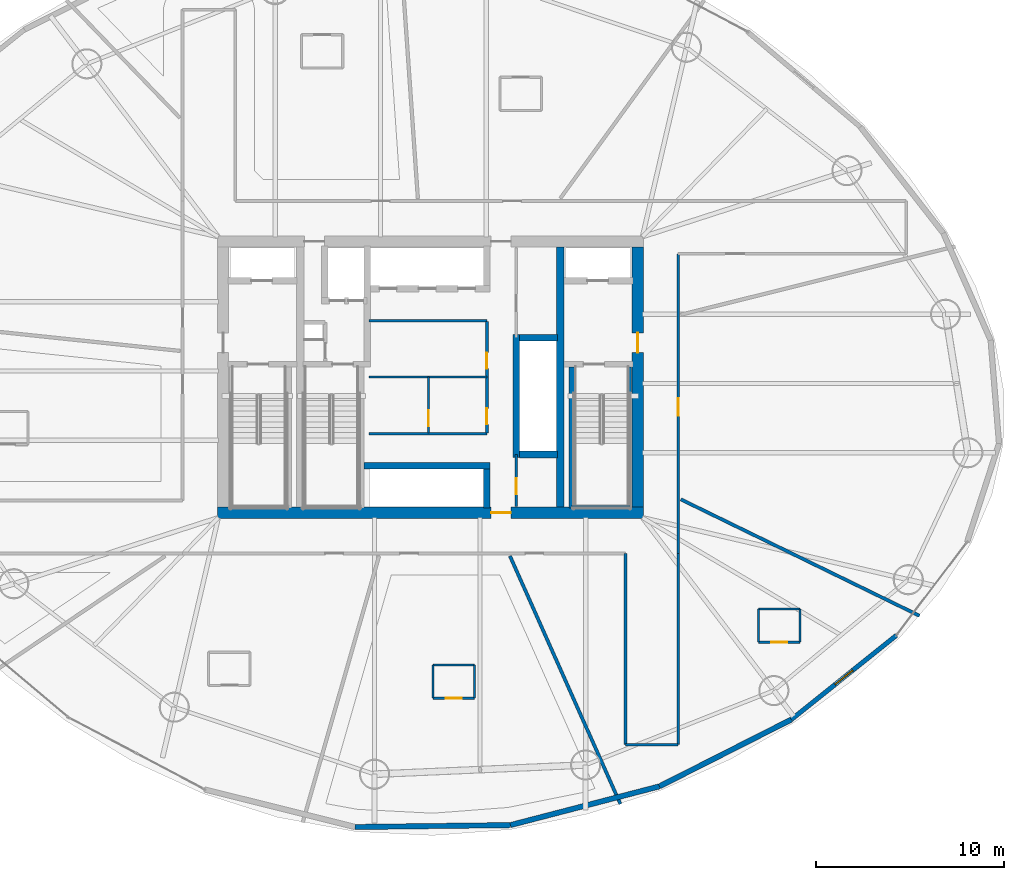
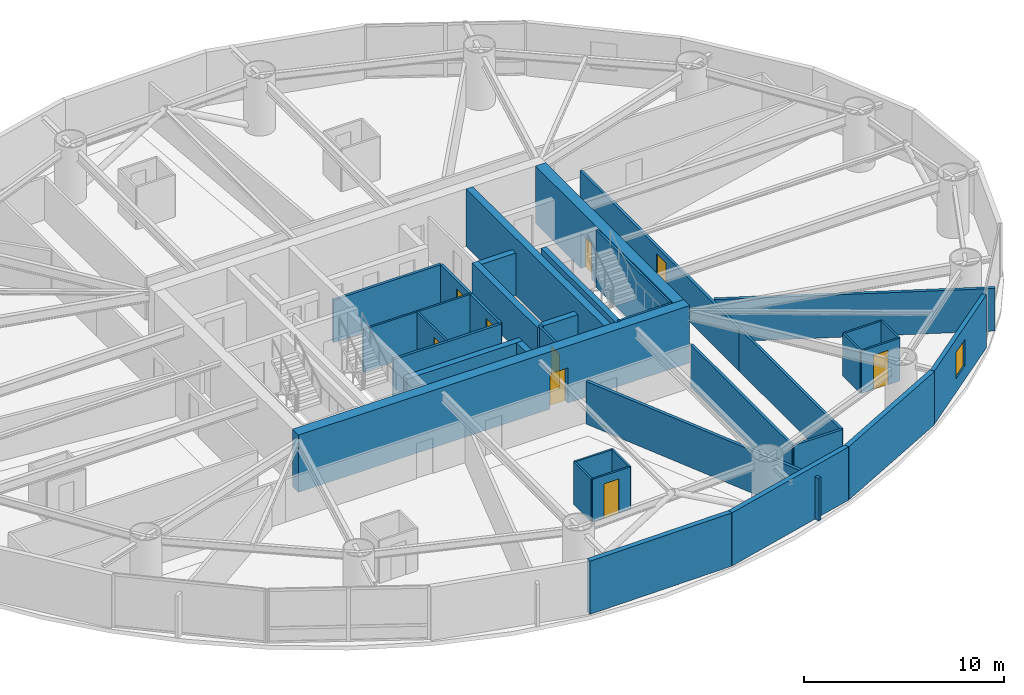
# One storey, part 13 of 19: 35 walls, 9 doors, 1 window, 10 openings.
"""IFC4 building model written with IfcOpenShell, lengths in metres."""

from ifc_helpers import new_model, si_unit, direction, frame, frame_2d, origin, place, context, subcontext, project, spatial, rectangle, extrude, material, layer, layer_set, type_object, element, fill, save


model = new_model("IFC4")

# Units and contexts
model_context = context("Model", 3, precision=1e-05, world=origin(), true_north=direction((0.0, 1.0)))
body_context = subcontext(model_context, "Body", "Model", "MODEL_VIEW")
ifc_project = project(units=[si_unit("LENGTHUNIT", "METRE"), si_unit("AREAUNIT", "SQUARE_METRE"), si_unit("VOLUMEUNIT", "CUBIC_METRE"), si_unit("PLANEANGLEUNIT", "RADIAN"), si_unit("MASSUNIT", "GRAM", prefix="KILO")], contexts=[model_context])

# Site, building, storey
site_placement = place(None, origin())
site = spatial("IfcSite", under=ifc_project, at=site_placement, CompositionType="ELEMENT")
building_placement = place(site_placement, origin())
building = spatial("IfcBuilding", under=site, at=building_placement, Name="Bramvorn Convention Spire", CompositionType="ELEMENT")
storey_placement = place(building_placement, frame((0.0, 0.0, 62.39990234375)))
storey = spatial("IfcBuildingStorey", under=building, at=storey_placement, Name="L13", CompositionType="ELEMENT", Elevation=62.39990234375)

# Wall, opening, door
ifc_material_1 = material(Name="Concrete C60/70", Category="concrete")
ifc_layer_1 = layer(ifc_material_1, 0.60009765625)
ifc_layer_set_1 = layer_set([ifc_layer_1], Name="Concrete C60/70 - WL-CORE-600")
wall_type_1 = type_object("IfcWallType", Name="WL-CORE-600", PredefinedType="SHEAR", material=ifc_layer_set_1)
wall_1_placement = place(storey_placement, frame((26.699951171875, 18.800048828125, 0.0), z_axis=(0.0, 0.0, 1.0), x_axis=(1.0, 0.0, 0.0)))
wall_1 = element("IfcWall", 1, at=wall_1_placement, inside=storey, type_object=wall_type_1, Name="L13 South RC core shear wall", PredefinedType="SHEAR", context=body_context, shape_type="SweptSolid", body=[
    extrude(rectangle(XDim=22.60009765625, YDim=0.60009765625, at=frame_2d((11.300048828125, 0.0))), origin(), (0.0, 0.0, 1.0), 3.5),
])
opening_1_placement = place(wall_1_placement, frame((14.52001953125, 0.0, 0.0)))
opening_1 = element("IfcOpeningElement", 2, at=opening_1_placement, cuts=wall_1, Name="Opening DL-105", PredefinedType="OPENING", context=body_context, shape_type="SweptSolid", body=[
    extrude(rectangle(XDim=1.050048828125, YDim=2.14990234375, at=frame_2d((0.52490234375, 1.074951171875))), frame((0.0, 0.31005859375, 0.0), z_axis=(0.0, -1.0, 0.0), x_axis=(1.0, 0.0, 0.0)), (0.0, 0.0, 1.0), 0.6201171875),
])
ifc_material_2 = material(Name="Smoke-Sealed Fire Lobby Timber-Core Door", Category="wood")
door_type_1 = type_object("IfcDoorType", Name="DR-LOBBY-1050", OperationType="NOTDEFINED", PredefinedType="DOOR", material=ifc_material_2)
door_1_placement = place(opening_1_placement, origin())
door_1 = element("IfcDoor", 3, at=door_1_placement, inside=storey, type_object=door_type_1, Name="L13 South Lift Lobby fire door", OperationType="SINGLE_SWING_RIGHT", OverallHeight=2.14990234375, OverallWidth=1.050048828125, PredefinedType="DOOR", context=body_context, shape_type="SweptSolid", body=[
    extrude(rectangle(XDim=1.050048828125, YDim=2.14990234375, at=frame_2d((0.52490234375, 1.074951171875))), frame((0.0, 0.02490234375, 0.0), z_axis=(0.0, -1.0, 0.0), x_axis=(1.0, 0.0, 0.0)), (0.0, 0.0, 1.0), 0.050048828125),
])
fill(opening_1, door_1)

wall_2_placement = place(storey_placement, frame((49.0, 19.10009765625, 0.0), z_axis=(0.0, 0.0, 1.0), x_axis=(0.0, 1.0, 0.0)))
wall_2 = element("IfcWall", 4, at=wall_2_placement, inside=storey, type_object=wall_type_1, Name="L13 East RC core shear wall", PredefinedType="SHEAR", context=body_context, shape_type="SweptSolid", body=[
    extrude(rectangle(XDim=13.7998046875, YDim=0.60009765625, at=frame_2d((6.89990234375, 0.0))), origin(), (0.0, 0.0, 1.0), 3.5),
])
opening_2_placement = place(wall_2_placement, frame((8.199951171875, 0.0, 0.0)))
opening_2 = element("IfcOpeningElement", 5, at=opening_2_placement, cuts=wall_2, Name="Opening DL-105", PredefinedType="OPENING", context=body_context, shape_type="SweptSolid", body=[
    extrude(rectangle(XDim=1.050048828125, YDim=2.14990234375, at=frame_2d((0.52490234375, 1.074951171875))), frame((0.0, 0.31005859375, 0.0), z_axis=(0.0, -1.0, 0.0), x_axis=(1.0, 0.0, 0.0)), (0.0, 0.0, 1.0), 0.6201171875),
])
door_2_placement = place(opening_2_placement, origin())
door_2 = element("IfcDoor", 6, at=door_2_placement, inside=storey, type_object=door_type_1, Name="L13 East Firefighting Lobby corridor door", OperationType="SINGLE_SWING_LEFT", OverallHeight=2.14990234375, OverallWidth=1.050048828125, PredefinedType="DOOR", context=body_context, shape_type="SweptSolid", body=[
    extrude(rectangle(XDim=1.050048828125, YDim=2.14990234375, at=frame_2d((0.52490234375, 1.074951171875))), frame((0.0, 0.02490234375, 0.0), z_axis=(0.0, -1.0, 0.0), x_axis=(1.0, 0.0, 0.0)), (0.0, 0.0, 1.0), 0.050048828125),
])
fill(opening_2, door_2)

# Walls
ifc_material_3 = material(Name="Concrete C50/60", Category="concrete")
ifc_layer_2 = layer(ifc_material_3, 0.35009765625)
ifc_layer_set_2 = layer_set([ifc_layer_2], Name="Concrete C50/60 - WL-CORE-INT-350")
wall_type_2 = type_object("IfcWallType", Name="WL-CORE-INT-350", PredefinedType="SHEAR", material=ifc_layer_set_2)
wall_3_placement = place(storey_placement, frame((42.550048828125, 21.72998046875, 0.0), z_axis=(0.0, 0.0, 1.0), x_axis=(0.0, 1.0, 0.0)))
element("IfcWall", 7, at=wall_3_placement, inside=storey, type_object=wall_type_2, Name="L13 High-rise lift bank west wall", PredefinedType="SHEAR", context=body_context, shape_type="SweptSolid", body=[
    extrude(rectangle(XDim=6.5400390625, YDim=0.35009765625, at=frame_2d((3.27001953125, 0.0))), origin(), (0.0, 0.0, 1.0), 2.60009765625),
])
for number, where, z_axis, x_axis, name in (
    (8, (42.719970703125, 21.89990234375, 0.0), (0.0, 0.0, 1.0), (1.0, 0.0, 0.0), "L13 High-rise lift bank south wall"),
    (9, (42.719970703125, 28.10009765625, 0.0), (0.0, 0.0, 1.0), (1.0, 0.0, 0.0), "L13 High-rise lift bank north wall"),
):
    element("IfcWall", number, at=place(storey_placement, frame(where, z_axis=z_axis, x_axis=x_axis)), inside=storey, type_object=wall_type_2, Name=name, PredefinedType="SHEAR", context=body_context, shape_type="SweptSolid", body=[
        extrude(rectangle(XDim=2.030029296875, YDim=0.35009765625, at=frame_2d((1.01513671875, 0.0))), origin(), (0.0, 0.0, 1.0), 2.60009765625),
    ])
wall_4_placement = place(storey_placement, frame((34.489990234375, 21.300048828125, 0.0), z_axis=(0.0, 0.0, 1.0), x_axis=(1.0, 0.0, 0.0)))
element("IfcWall", 10, at=wall_4_placement, inside=storey, type_object=wall_type_2, Name="L13 Mid-rise bank north landing wall", PredefinedType="SHEAR", context=body_context, shape_type="SweptSolid", body=[
    extrude(rectangle(XDim=6.679931640625, YDim=0.35009765625, at=frame_2d((3.33984375, 0.0))), origin(), (0.0, 0.0, 1.0), 2.60009765625),
])
wall_5_placement = place(storey_placement, frame((41.0, 19.050048828125, 0.0), z_axis=(0.0, 0.0, 1.0), x_axis=(0.0, 1.0, 0.0)))
element("IfcWall", 11, at=wall_5_placement, inside=storey, type_object=wall_type_2, Name="L13 Mid-rise bank east cheek wall", PredefinedType="SHEAR", context=body_context, shape_type="SweptSolid", body=[
    extrude(rectangle(XDim=2.079833984375, YDim=0.35009765625, at=frame_2d((1.0400390625, 0.0))), origin(), (0.0, 0.0, 1.0), 2.60009765625),
])
ifc_layer_3 = layer(ifc_material_1, 0.39990234375)
ifc_layer_set_3 = layer_set([ifc_layer_3], Name="Concrete C60/70 - WL-CORE-INT-400")
wall_type_3 = type_object("IfcWallType", Name="WL-CORE-INT-400", PredefinedType="SHEAR", material=ifc_layer_set_3)
wall_6_placement = place(storey_placement, frame((44.89990234375, 19.10009765625, 0.0), z_axis=(0.0, 0.0, 1.0), x_axis=(0.0, 1.0, 0.0)))
element("IfcWall", 12, at=wall_6_placement, inside=storey, type_object=wall_type_3, Name="L13 East internal core shear web", PredefinedType="SHEAR", context=body_context, shape_type="SweptSolid", body=[
    extrude(rectangle(XDim=13.7998046875, YDim=0.39990234375, at=frame_2d((6.89990234375, 0.0))), origin(), (0.0, 0.0, 1.0), 3.5),
])
ifc_material_4 = material(Name="Precast Concrete C40/50 with Bronze Terracotta Rainscreen", Category="masonry")
ifc_layer_4 = layer(ifc_material_4, 0.300048828125)
ifc_layer_set_4 = layer_set([ifc_layer_4], Name="Precast Concrete C40/50 with Bronze Terracotta Rainscreen - WL-EXT-BRONZE-300")
wall_type_4 = type_object("IfcWallType", Name="WL-EXT-BRONZE-300", PredefinedType="SOLIDWALL", material=ifc_layer_set_4)
wall_7_placement = place(storey_placement, frame((42.249755859375, 2.23291015625, 0.0), z_axis=(0.0, 0.0, 1.0), x_axis=(-0.999923696947, -0.012353148712, 0.0)))
element("IfcWall", 13, at=wall_7_placement, inside=storey, type_object=wall_type_4, Name="L13 expressed bronze Gothic lancet pier wall 19", PredefinedType="SOLIDWALL", context=body_context, shape_type="SweptSolid", body=[
    extrude(rectangle(XDim=8.241455078125, YDim=0.280029296875, at=frame_2d((4.12060546875, 0.0))), origin(), (0.0, 0.0, 1.0), 3.25),
])
wall_8_placement = place(storey_placement, frame((50.15771484375, 4.2890625, 0.0), z_axis=(0.0, 0.0, 1.0), x_axis=(-0.96782003266, -0.25164336745, 0.0)))
element("IfcWall", 14, at=wall_8_placement, inside=storey, type_object=wall_type_4, Name="L13 expressed bronze Gothic lancet pier wall 20", PredefinedType="SOLIDWALL", context=body_context, shape_type="SweptSolid", body=[
    extrude(rectangle(XDim=8.1708984375, YDim=0.280029296875, at=frame_2d((4.08544921875, 0.0))), origin(), (0.0, 0.0, 1.0), 3.25),
])
wall_9_placement = place(storey_placement, frame((57.15576171875, 7.83447265625, 0.0), z_axis=(0.0, 0.0, 1.0), x_axis=(-0.892049493645, -0.451937717929, 0.0)))
element("IfcWall", 15, at=wall_9_placement, inside=storey, type_object=wall_type_4, Name="L13 expressed bronze Gothic lancet pier wall 21", PredefinedType="SOLIDWALL", context=body_context, shape_type="SweptSolid", body=[
    extrude(rectangle(XDim=7.844970703125, YDim=0.280029296875, at=frame_2d((3.92236328125, 0.0))), origin(), (0.0, 0.0, 1.0), 3.25),
])

# Wall, opening, window
wall_10_placement = place(storey_placement, frame((62.72900390625, 12.3017578125, 0.0), z_axis=(0.0, 0.0, 1.0), x_axis=(-0.780274881532, -0.625436734811, 0.0)))
wall_10 = element("IfcWall", 16, at=wall_10_placement, inside=storey, type_object=wall_type_4, Name="L13 bronze ceramic-frit spandrel & operable window bay 22", PredefinedType="SOLIDWALL", context=body_context, shape_type="SweptSolid", body=[
    extrude(rectangle(XDim=7.142578125, YDim=0.239990234375, at=frame_2d((3.5712890625, 0.0))), origin(), (0.0, 0.0, 1.0), 3.25),
])
opening_3_placement = place(wall_10_placement, frame((2.971435546875, 0.0, 0.85009765625)))
opening_3 = element("IfcOpeningElement", 17, at=opening_3_placement, cuts=wall_10, Name="Opening WN01", PredefinedType="OPENING", context=body_context, shape_type="SweptSolid", body=[
    extrude(rectangle(XDim=1.199951171875, YDim=1.60009765625, at=frame_2d((0.60009765625, 0.800048828125))), frame((0.0, 0.1298828125, 0.0), z_axis=(0.0, -1.0, 0.0), x_axis=(1.0, 0.0, 0.0)), (0.0, 0.0, 1.0), 0.260009765625),
])
ifc_material_5 = material(Name="Thermally Broken Bronze Aluminium & Triple Low-E Glass", Category="aluminium")
window_type = type_object("IfcWindowType", Name="WN-OP-1200X1600", PartitioningType="SINGLE_PANEL", PredefinedType="WINDOW", material=ifc_material_5)
window_placement = place(opening_3_placement, origin())
window = element("IfcWindow", 18, at=window_placement, inside=storey, type_object=window_type, Name="L13 operable parallel-vent window 22", OverallHeight=1.60009765625, OverallWidth=1.199951171875, PartitioningType="SINGLE_PANEL", PredefinedType="WINDOW", context=body_context, shape_type="SweptSolid", body=[
    extrude(rectangle(XDim=1.199951171875, YDim=1.60009765625, at=frame_2d((0.60009765625, 0.800048828125))), frame((0.0, 0.030029296875, 0.0), z_axis=(0.0, -1.0, 0.0), x_axis=(1.0, 0.0, 0.0)), (0.0, 0.0, 1.0), 0.06005859375),
])
fill(opening_3, window)

# Wall
ifc_material_6 = material(Name="Lightweight En-Suite & Wet-Wall Partition", Category="gypsum")
ifc_layer_5 = layer(ifc_material_6, 0.110107421875)
ifc_layer_set_5 = layer_set([ifc_layer_5], Name="Lightweight En-Suite & Wet-Wall Partition - WL-PART-110")
wall_type_5 = type_object("IfcWallType", Name="WL-PART-110", PredefinedType="PARTITIONING", material=ifc_layer_set_5)
wall_11_placement = place(storey_placement, frame((34.75, 26.0, 0.0), z_axis=(0.0, 0.0, 1.0), x_axis=(1.0, 0.0, 0.0)))
element("IfcWall", 19, at=wall_11_placement, inside=storey, type_object=wall_type_5, Name="L13 KA horizontal core divider", PredefinedType="PARTITIONING", context=body_context, shape_type="SweptSolid", body=[
    extrude(rectangle(XDim=6.25, YDim=0.110107421875, at=frame_2d((3.125, 0.0))), origin(), (0.0, 0.0, 1.0), 2.60009765625),
])

# Wall, opening, door
wall_12_placement = place(storey_placement, frame((37.89990234375, 23.050048828125, 0.0), z_axis=(0.0, 0.0, 1.0), x_axis=(0.0, 1.0, 0.0)))
wall_12 = element("IfcWall", 20, at=wall_12_placement, inside=storey, type_object=wall_type_5, Name="L13 KA restroom subwall", PredefinedType="PARTITIONING", context=body_context, shape_type="SweptSolid", body=[
    extrude(rectangle(XDim=2.949951171875, YDim=0.110107421875, at=frame_2d((1.47509765625, 0.0))), origin(), (0.0, 0.0, 1.0), 2.60009765625),
])
opening_4_placement = place(wall_12_placement, frame((0.35009765625, 0.0, 0.0)))
opening_4 = element("IfcOpeningElement", 21, at=opening_4_placement, cuts=wall_12, Name="Opening DC-085", PredefinedType="OPENING", context=body_context, shape_type="SweptSolid", body=[
    extrude(rectangle(XDim=0.85009765625, YDim=2.10009765625, at=frame_2d((0.425048828125, 1.050048828125))), frame((0.0, 0.06494140625, 0.0), z_axis=(0.0, -1.0, 0.0), x_axis=(1.0, 0.0, 0.0)), (0.0, 0.0, 1.0), 0.130126953125),
])
ifc_material_7 = material(Name="Fire-Rated Core Washroom & IDF Door", Category="wood")
door_type_2 = type_object("IfcDoorType", Name="DR-CORE-850", OperationType="NOTDEFINED", PredefinedType="DOOR", material=ifc_material_7)
door_3_placement = place(opening_4_placement, origin())
door_3 = element("IfcDoor", 22, at=door_3_placement, inside=storey, type_object=door_type_2, Name="L13 Core IT Closet door", OperationType="SINGLE_SWING_LEFT", OverallHeight=2.10009765625, OverallWidth=0.85009765625, PredefinedType="DOOR", context=body_context, shape_type="SweptSolid", body=[
    extrude(rectangle(XDim=0.85009765625, YDim=2.10009765625, at=frame_2d((0.425048828125, 1.050048828125))), frame((0.0, 0.02490234375, 0.0), z_axis=(0.0, -1.0, 0.0), x_axis=(1.0, 0.0, 0.0)), (0.0, 0.0, 1.0), 0.050048828125),
])
fill(opening_4, door_3)

wall_13_placement = place(storey_placement, frame((38.147705078125, 8.964111328125, 0.0), z_axis=(0.0, 0.0, 1.0), x_axis=(1.0, 0.0, 0.0)))
wall_13 = element("IfcWall", 23, at=wall_13_placement, inside=storey, type_object=wall_type_5, Name="Hotel Suite 1307 en-suite south wall", PredefinedType="PARTITIONING", context=body_context, shape_type="SweptSolid", body=[
    extrude(rectangle(XDim=2.199951171875, YDim=0.110107421875, at=frame_2d((1.10009765625, 0.0))), origin(), (0.0, 0.0, 1.0), 2.60009765625),
])
opening_5_placement = place(wall_13_placement, frame((0.679931640625, 0.0, 0.0)))
opening_5 = element("IfcOpeningElement", 24, at=opening_5_placement, cuts=wall_13, Name="Opening DI-085", PredefinedType="OPENING", context=body_context, shape_type="SweptSolid", body=[
    extrude(rectangle(XDim=0.85009765625, YDim=2.10009765625, at=frame_2d((0.425048828125, 1.050048828125))), frame((0.0, 0.06494140625, 0.0), z_axis=(0.0, -1.0, 0.0), x_axis=(1.0, 0.0, 0.0)), (0.0, 0.0, 1.0), 0.130126953125),
])
ifc_material_8 = material(Name="En-Suite & Restroom Privacy Door", Category="wood")
door_type_3 = type_object("IfcDoorType", Name="DR-INT-850", OperationType="NOTDEFINED", PredefinedType="DOOR", material=ifc_material_8)
door_4_placement = place(opening_5_placement, origin())
door_4 = element("IfcDoor", 25, at=door_4_placement, inside=storey, type_object=door_type_3, Name="Hotel Suite 1307 En-Suite Bathroom door", OperationType="SINGLE_SWING_LEFT", OverallHeight=2.10009765625, OverallWidth=0.85009765625, PredefinedType="DOOR", context=body_context, shape_type="SweptSolid", body=[
    extrude(rectangle(XDim=0.85009765625, YDim=2.10009765625, at=frame_2d((0.425048828125, 1.050048828125))), frame((0.0, 0.02490234375, 0.0), z_axis=(0.0, -1.0, 0.0), x_axis=(1.0, 0.0, 0.0)), (0.0, 0.0, 1.0), 0.050048828125),
])
fill(opening_5, door_4)

# Walls
wall_14_placement = place(storey_placement, frame((38.147705078125, 10.72412109375, 0.0), z_axis=(0.0, 0.0, 1.0), x_axis=(1.0, 0.0, 0.0)))
element("IfcWall", 26, at=wall_14_placement, inside=storey, type_object=wall_type_5, Name="Hotel Suite 1307 en-suite north wall", PredefinedType="PARTITIONING", context=body_context, shape_type="SweptSolid", body=[
    extrude(rectangle(XDim=2.199951171875, YDim=0.110107421875, at=frame_2d((1.10009765625, 0.0))), origin(), (0.0, 0.0, 1.0), 2.60009765625),
])
for number, where, z_axis, x_axis, name in (
    (27, (38.147705078125, 8.964111328125, 0.0), (0.0, 0.0, 1.0), (0.0, 1.0, 0.0), "Hotel Suite 1307 en-suite west wall"),
    (28, (40.34765625, 8.964111328125, 0.0), (0.0, 0.0, 1.0), (0.0, 1.0, 0.0), "Hotel Suite 1307 en-suite east wall"),
):
    element("IfcWall", number, at=place(storey_placement, frame(where, z_axis=z_axis, x_axis=x_axis)), inside=storey, type_object=wall_type_5, Name=name, PredefinedType="PARTITIONING", context=body_context, shape_type="SweptSolid", body=[
        extrude(rectangle(XDim=1.760009765625, YDim=0.110107421875, at=frame_2d((0.8798828125, 0.0))), origin(), (0.0, 0.0, 1.0), 2.60009765625),
    ])

# Wall, opening, door
wall_15_placement = place(storey_placement, frame((55.4130859375, 11.936279296875, 0.0), z_axis=(0.0, 0.0, 1.0), x_axis=(1.0, 0.0, 0.0)))
wall_15 = element("IfcWall", 29, at=wall_15_placement, inside=storey, type_object=wall_type_5, Name="Hotel Suite 1308 en-suite south wall", PredefinedType="PARTITIONING", context=body_context, shape_type="SweptSolid", body=[
    extrude(rectangle(XDim=2.199951171875, YDim=0.110107421875, at=frame_2d((1.10009765625, 0.0))), origin(), (0.0, 0.0, 1.0), 2.60009765625),
])
opening_6_placement = place(wall_15_placement, frame((0.679931640625, 0.0, 0.0)))
opening_6 = element("IfcOpeningElement", 30, at=opening_6_placement, cuts=wall_15, Name="Opening DI-085", PredefinedType="OPENING", context=body_context, shape_type="SweptSolid", body=[
    extrude(rectangle(XDim=0.85009765625, YDim=2.10009765625, at=frame_2d((0.425048828125, 1.050048828125))), frame((0.0, 0.06494140625, 0.0), z_axis=(0.0, -1.0, 0.0), x_axis=(1.0, 0.0, 0.0)), (0.0, 0.0, 1.0), 0.130126953125),
])
door_5_placement = place(opening_6_placement, origin())
door_5 = element("IfcDoor", 31, at=door_5_placement, inside=storey, type_object=door_type_3, Name="Hotel Suite 1308 En-Suite Bathroom door", OperationType="SINGLE_SWING_LEFT", OverallHeight=2.10009765625, OverallWidth=0.85009765625, PredefinedType="DOOR", context=body_context, shape_type="SweptSolid", body=[
    extrude(rectangle(XDim=0.85009765625, YDim=2.10009765625, at=frame_2d((0.425048828125, 1.050048828125))), frame((0.0, 0.02490234375, 0.0), z_axis=(0.0, -1.0, 0.0), x_axis=(1.0, 0.0, 0.0)), (0.0, 0.0, 1.0), 0.050048828125),
])
fill(opening_6, door_5)

# Walls
wall_16_placement = place(storey_placement, frame((55.4130859375, 13.6962890625, 0.0), z_axis=(0.0, 0.0, 1.0), x_axis=(1.0, 0.0, 0.0)))
element("IfcWall", 32, at=wall_16_placement, inside=storey, type_object=wall_type_5, Name="Hotel Suite 1308 en-suite north wall", PredefinedType="PARTITIONING", context=body_context, shape_type="SweptSolid", body=[
    extrude(rectangle(XDim=2.199951171875, YDim=0.110107421875, at=frame_2d((1.10009765625, 0.0))), origin(), (0.0, 0.0, 1.0), 2.60009765625),
])
for number, where, z_axis, x_axis, name in (
    (33, (55.4130859375, 11.936279296875, 0.0), (0.0, 0.0, 1.0), (0.0, 1.0, 0.0), "Hotel Suite 1308 en-suite west wall"),
    (34, (57.613037109375, 11.936279296875, 0.0), (0.0, 0.0, 1.0), (0.0, 1.0, 0.0), "Hotel Suite 1308 en-suite east wall"),
):
    element("IfcWall", number, at=place(storey_placement, frame(where, z_axis=z_axis, x_axis=x_axis)), inside=storey, type_object=wall_type_5, Name=name, PredefinedType="PARTITIONING", context=body_context, shape_type="SweptSolid", body=[
        extrude(rectangle(XDim=1.760009765625, YDim=0.110107421875, at=frame_2d((0.8798828125, 0.0))), origin(), (0.0, 0.0, 1.0), 2.60009765625),
    ])

# Wall, opening, door
ifc_material_9 = material(Name="Metal-Stud Demountable Office Partition", Category="gypsum")
ifc_layer_6 = layer(ifc_material_9, 0.1298828125)
ifc_layer_set_6 = layer_set([ifc_layer_6], Name="Metal-Stud Demountable Office Partition - WL-PART-130")
wall_type_6 = type_object("IfcWallType", Name="WL-PART-130", PredefinedType="PARTITIONING", material=ifc_layer_set_6)
wall_17_placement = place(storey_placement, frame((42.550048828125, 19.14990234375, 0.0), z_axis=(0.0, 0.0, 1.0), x_axis=(0.0, 1.0, 0.0)))
wall_17 = element("IfcWall", 35, at=wall_17_placement, inside=storey, type_object=wall_type_6, Name="L13 KA SE store wall", PredefinedType="PARTITIONING", context=body_context, shape_type="SweptSolid", body=[
    extrude(rectangle(XDim=2.75, YDim=0.1298828125, at=frame_2d((1.375, 0.0))), origin(), (0.0, 0.0, 1.0), 2.60009765625),
])
opening_7_placement = place(wall_17_placement, frame((0.64990234375, 0.0, 0.0)))
opening_7 = element("IfcOpeningElement", 36, at=opening_7_placement, cuts=wall_17, Name="Opening DC-085", PredefinedType="OPENING", context=body_context, shape_type="SweptSolid", body=[
    extrude(rectangle(XDim=0.85009765625, YDim=2.10009765625, at=frame_2d((0.425048828125, 1.050048828125))), frame((0.0, 0.074951171875, 0.0), z_axis=(0.0, -1.0, 0.0), x_axis=(1.0, 0.0, 0.0)), (0.0, 0.0, 1.0), 0.14990234375),
])
door_6_placement = place(opening_7_placement, origin())
door_6 = element("IfcDoor", 37, at=door_6_placement, inside=storey, type_object=door_type_2, Name="L13 Floor Housekeeping & Linen Store door", OperationType="SINGLE_SWING_LEFT", OverallHeight=2.10009765625, OverallWidth=0.85009765625, PredefinedType="DOOR", context=body_context, shape_type="SweptSolid", body=[
    extrude(rectangle(XDim=0.85009765625, YDim=2.10009765625, at=frame_2d((0.425048828125, 1.050048828125))), frame((0.0, 0.02490234375, 0.0), z_axis=(0.0, -1.0, 0.0), x_axis=(1.0, 0.0, 0.0)), (0.0, 0.0, 1.0), 0.050048828125),
])
fill(opening_7, door_6)

# Walls
ifc_material_10 = material(Name="Acoustic Metal-Stud Tenant/Corridor Partition", Category="gypsum")
ifc_layer_7 = layer(ifc_material_10, 0.14990234375)
ifc_layer_set_7 = layer_set([ifc_layer_7], Name="Acoustic Metal-Stud Tenant/Corridor Partition - WL-PART-150")
wall_type_7 = type_object("IfcWallType", Name="WL-PART-150", PredefinedType="PARTITIONING", material=ifc_layer_set_7)
for number, where, z_axis, x_axis, name in (
    (38, (34.75, 29.0, 0.0), (0.0, 0.0, 1.0), (1.0, 0.0, 0.0), "L13 Low-rise lift vestibule south wall"),
    (39, (34.75, 23.0, 0.0), (0.0, 0.0, 1.0), (1.0, 0.0, 0.0), "L13 Mid-rise lift vestibule north wall"),
):
    element("IfcWall", number, at=place(storey_placement, frame(where, z_axis=z_axis, x_axis=x_axis)), inside=storey, type_object=wall_type_7, Name=name, PredefinedType="PARTITIONING", context=body_context, shape_type="SweptSolid", body=[
        extrude(rectangle(XDim=6.25, YDim=0.14990234375, at=frame_2d((3.125, 0.0))), origin(), (0.0, 0.0, 1.0), 2.60009765625),
    ])

# Wall, openings, doors
wall_18_placement = place(storey_placement, frame((41.0, 23.050048828125, 0.0), z_axis=(0.0, 0.0, 1.0), x_axis=(0.0, 1.0, 0.0)))
wall_18 = element("IfcWall", 40, at=wall_18_placement, inside=storey, type_object=wall_type_7, Name="L13 KA east core wall", PredefinedType="PARTITIONING", context=body_context, shape_type="SweptSolid", body=[
    extrude(rectangle(XDim=5.89990234375, YDim=0.14990234375, at=frame_2d((2.949951171875, 0.0))), origin(), (0.0, 0.0, 1.0), 2.60009765625),
])
opening_8_placement = place(wall_18_placement, frame((3.39990234375, 0.0, 0.0)))
opening_8 = element("IfcOpeningElement", 41, at=opening_8_placement, cuts=wall_18, Name="Opening DC-085", PredefinedType="OPENING", context=body_context, shape_type="SweptSolid", body=[
    extrude(rectangle(XDim=0.85009765625, YDim=2.10009765625, at=frame_2d((0.425048828125, 1.050048828125))), frame((0.0, 0.0849609375, 0.0), z_axis=(0.0, -1.0, 0.0), x_axis=(1.0, 0.0, 0.0)), (0.0, 0.0, 1.0), 0.169921875),
])
opening_9_placement = place(wall_18_placement, frame((0.449951171875, 0.0, 0.0)))
opening_9 = element("IfcOpeningElement", 42, at=opening_9_placement, cuts=wall_18, Name="Opening DC-085", PredefinedType="OPENING", context=body_context, shape_type="SweptSolid", body=[
    extrude(rectangle(XDim=0.85009765625, YDim=2.10009765625, at=frame_2d((0.425048828125, 1.050048828125))), frame((0.0, 0.0849609375, 0.0), z_axis=(0.0, -1.0, 0.0), x_axis=(1.0, 0.0, 0.0)), (0.0, 0.0, 1.0), 0.169921875),
])
door_7_placement = place(opening_8_placement, origin())
door_7 = element("IfcDoor", 43, at=door_7_placement, inside=storey, type_object=door_type_2, Name="L13 Core Linen & Equipment Store door", OperationType="SINGLE_SWING_LEFT", OverallHeight=2.10009765625, OverallWidth=0.85009765625, PredefinedType="DOOR", context=body_context, shape_type="SweptSolid", body=[
    extrude(rectangle(XDim=0.85009765625, YDim=2.10009765625, at=frame_2d((0.425048828125, 1.050048828125))), frame((0.0, 0.02490234375, 0.0), z_axis=(0.0, -1.0, 0.0), x_axis=(1.0, 0.0, 0.0)), (0.0, 0.0, 1.0), 0.050048828125),
])
fill(opening_8, door_7)
door_8_placement = place(opening_9_placement, origin())
door_8 = element("IfcDoor", 44, at=door_8_placement, inside=storey, type_object=door_type_2, Name="L13 Accessible Core Restroom door", OperationType="SINGLE_SWING_LEFT", OverallHeight=2.10009765625, OverallWidth=0.85009765625, PredefinedType="DOOR", context=body_context, shape_type="SweptSolid", body=[
    extrude(rectangle(XDim=0.85009765625, YDim=2.10009765625, at=frame_2d((0.425048828125, 1.050048828125))), frame((0.0, 0.02490234375, 0.0), z_axis=(0.0, -1.0, 0.0), x_axis=(1.0, 0.0, 0.0)), (0.0, 0.0, 1.0), 0.050048828125),
])
fill(opening_9, door_8)

# Wall, opening, door
wall_19_placement = place(storey_placement, frame((51.14990234375, 16.64990234375, 0.0), z_axis=(0.0, 0.0, 1.0), x_axis=(0.0, 1.0, 0.0)))
wall_19 = element("IfcWall", 45, at=wall_19_placement, inside=storey, type_object=wall_type_7, Name="L13 East ring corridor wall", PredefinedType="PARTITIONING", context=body_context, shape_type="SweptSolid", body=[
    extrude(rectangle(XDim=15.900146484375, YDim=0.14990234375, at=frame_2d((7.9501953125, 0.0))), origin(), (0.0, 0.0, 1.0), 2.60009765625),
])
opening_10_placement = place(wall_19_placement, frame((7.29248046875, 0.0, 0.0)))
opening_10 = element("IfcOpeningElement", 46, at=opening_10_placement, cuts=wall_19, Name="Opening DH-095", PredefinedType="OPENING", context=body_context, shape_type="SweptSolid", body=[
    extrude(rectangle(XDim=0.949951171875, YDim=2.14990234375, at=frame_2d((0.47509765625, 1.074951171875))), frame((0.0, 0.0849609375, 0.0), z_axis=(0.0, -1.0, 0.0), x_axis=(1.0, 0.0, 0.0)), (0.0, 0.0, 1.0), 0.169921875),
])
ifc_material_11 = material(Name="Solid-Core Acoustic Guestroom Entry Door", Category="wood")
door_type_4 = type_object("IfcDoorType", Name="DR-HOTEL-950", OperationType="NOTDEFINED", PredefinedType="DOOR", material=ifc_material_11)
door_9_placement = place(opening_10_placement, origin())
door_9 = element("IfcDoor", 47, at=door_9_placement, inside=storey, type_object=door_type_4, Name="L13 Hospitality Salon 9 door", OperationType="SINGLE_SWING_LEFT", OverallHeight=2.14990234375, OverallWidth=0.949951171875, PredefinedType="DOOR", context=body_context, shape_type="SweptSolid", body=[
    extrude(rectangle(XDim=0.949951171875, YDim=2.14990234375, at=frame_2d((0.47509765625, 1.074951171875))), frame((0.0, 0.02490234375, 0.0), z_axis=(0.0, -1.0, 0.0), x_axis=(1.0, 0.0, 0.0)), (0.0, 0.0, 1.0), 0.050048828125),
])
fill(opening_10, door_9)

# Walls
for number, where, z_axis, x_axis, name in (
    (48, (48.35009765625, 6.5, 0.0), (0.0, 0.0, 1.0), (0.0, 1.0, 0.0), "L13 SE pinwheel wing west wall"),
    (49, (51.14990234375, 6.5, 0.0), (0.0, 0.0, 1.0), (0.0, 1.0, 0.0), "L13 SE pinwheel wing east wall"),
):
    element("IfcWall", number, at=place(storey_placement, frame(where, z_axis=z_axis, x_axis=x_axis)), inside=storey, type_object=wall_type_7, Name=name, PredefinedType="PARTITIONING", context=body_context, shape_type="SweptSolid", body=[
        extrude(rectangle(XDim=10.14990234375, YDim=0.14990234375, at=frame_2d((5.074951171875, 0.0))), origin(), (0.0, 0.0, 1.0), 2.60009765625),
    ])
wall_20_placement = place(storey_placement, frame((48.35009765625, 6.5, 0.0), z_axis=(0.0, 0.0, 1.0), x_axis=(1.0, 0.0, 0.0)))
element("IfcWall", 50, at=wall_20_placement, inside=storey, type_object=wall_type_7, Name="L13 SE pinwheel end wall", PredefinedType="PARTITIONING", context=body_context, shape_type="SweptSolid", body=[
    extrude(rectangle(XDim=2.7998046875, YDim=0.14990234375, at=frame_2d((1.39990234375, 0.0))), origin(), (0.0, 0.0, 1.0), 2.60009765625),
])
ifc_material_12 = material(Name="Double-Stud Acoustic Hotel/Suite Partition", Category="gypsum")
ifc_layer_8 = layer(ifc_material_12, 0.175048828125)
ifc_layer_set_8 = layer_set([ifc_layer_8], Name="Double-Stud Acoustic Hotel/Suite Partition - WL-PART-175")
wall_type_8 = type_object("IfcWallType", Name="WL-PART-175", PredefinedType="PARTITIONING", material=ifc_layer_set_8)
wall_21_placement = place(storey_placement, frame((42.22509765625, 16.510009765625, 0.0), z_axis=(0.0, 0.0, 1.0), x_axis=(0.40673900211, -0.913544407329, 0.0)))
element("IfcWall", 51, at=wall_21_placement, inside=storey, type_object=wall_type_8, Name="L13 Guestroom demising wall 8", PredefinedType="PARTITIONING", context=body_context, shape_type="SweptSolid", body=[
    extrude(rectangle(XDim=14.406982421875, YDim=0.175048828125, at=frame_2d((7.20361328125, 0.0))), origin(), (0.0, 0.0, 1.0), 2.60009765625),
])
wall_22_placement = place(storey_placement, frame((51.2900390625, 19.51806640625, 0.0), z_axis=(0.0, 0.0, 1.0), x_axis=(0.898790251932, -0.438378926309, 0.0)))
element("IfcWall", 52, at=wall_22_placement, inside=storey, type_object=wall_type_8, Name="L13 Guestroom demising wall 9", PredefinedType="PARTITIONING", context=body_context, shape_type="SweptSolid", body=[
    extrude(rectangle(XDim=14.094970703125, YDim=0.175048828125, at=frame_2d((7.04736328125, 0.0))), origin(), (0.0, 0.0, 1.0), 2.60009765625),
])
ifc_layer_9 = layer(ifc_material_3, 0.300048828125)
ifc_layer_set_9 = layer_set([ifc_layer_9], Name="Concrete C50/60 - WL-POD-STAIR-300")
wall_type_9 = type_object("IfcWallType", Name="WL-POD-STAIR-300", PredefinedType="SHEAR", material=ifc_layer_set_9)
wall_23_placement = place(storey_placement, frame((45.510009765625, 19.050048828125, 0.0), z_axis=(0.0, 0.0, 1.0), x_axis=(0.0, 1.0, 0.0)))
element("IfcWall", 53, at=wall_23_placement, inside=storey, type_object=wall_type_9, Name="L13 ST2 west bearing wall", PredefinedType="SHEAR", context=body_context, shape_type="SweptSolid", body=[
    extrude(rectangle(XDim=7.5, YDim=0.300048828125, at=frame_2d((3.75, 0.0))), origin(), (0.0, 0.0, 1.0), 3.5),
])
ifc_layer_10 = layer(ifc_material_3, 0.1201171875)
ifc_layer_set_10 = layer_set([ifc_layer_10], Name="Concrete C50/60 - WL-STAIR-RC-120")
wall_type_10 = type_object("IfcWallType", Name="WL-STAIR-RC-120", PredefinedType="SHEAR", material=ifc_layer_set_10)
wall_24_placement = place(storey_placement, frame((48.60498046875, 19.10009765625, 0.0), z_axis=(0.0, 0.0, 1.0), x_axis=(0.0, 1.0, 0.0)))
element("IfcWall", 54, at=wall_24_placement, inside=storey, type_object=wall_type_10, Name="L13 ST2 east bearing shear wall", PredefinedType="SHEAR", context=body_context, shape_type="SweptSolid", body=[
    extrude(rectangle(XDim=7.449951171875, YDim=0.1201171875, at=frame_2d((3.72509765625, 0.0))), origin(), (0.0, 0.0, 1.0), 3.5),
])
wall_25_placement = place(storey_placement, frame((45.510009765625, 19.159912109375, 0.0), z_axis=(0.0, 0.0, 1.0), x_axis=(1.0, 0.0, 0.0)))
element("IfcWall", 55, at=wall_25_placement, inside=storey, type_object=wall_type_10, Name="L13 ST2 south bearing shear wall", PredefinedType="SHEAR", context=body_context, shape_type="SweptSolid", body=[
    extrude(rectangle(XDim=3.094970703125, YDim=0.1201171875, at=frame_2d((1.54736328125, 0.0))), origin(), (0.0, 0.0, 1.0), 3.5),
])

save(model, "model.ifc")
